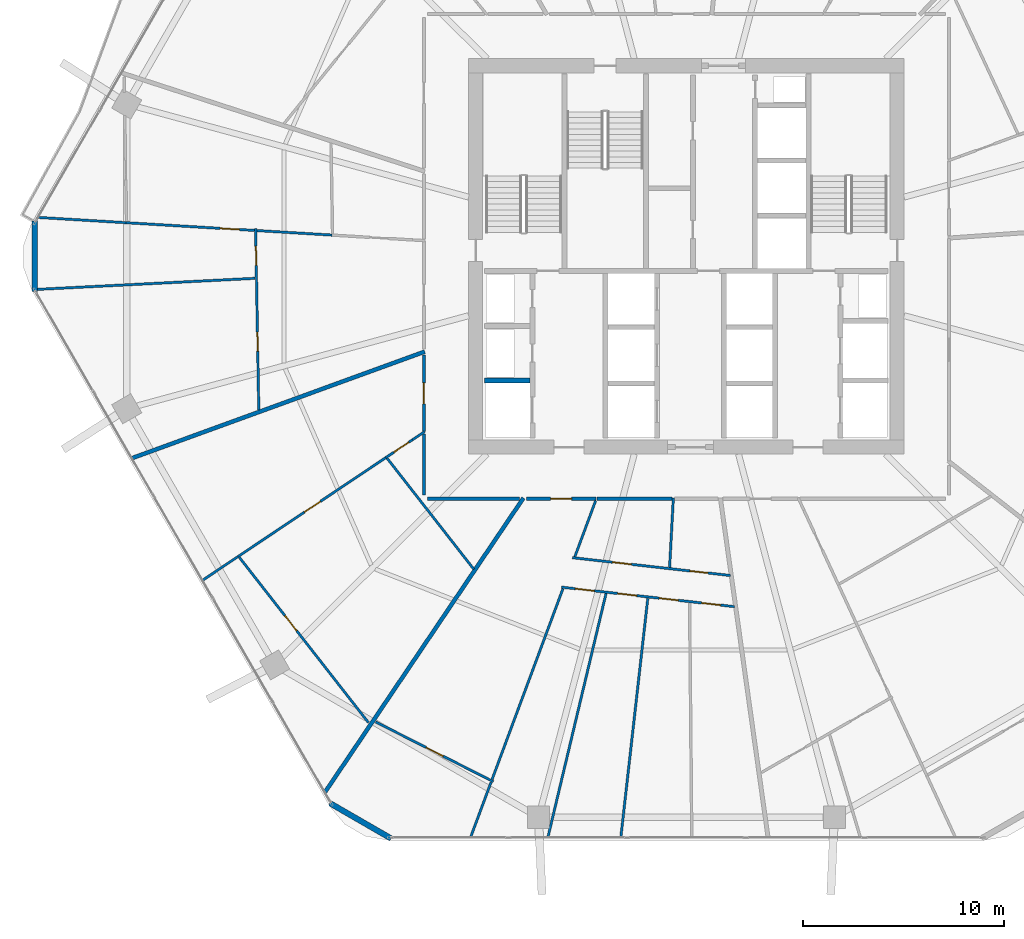
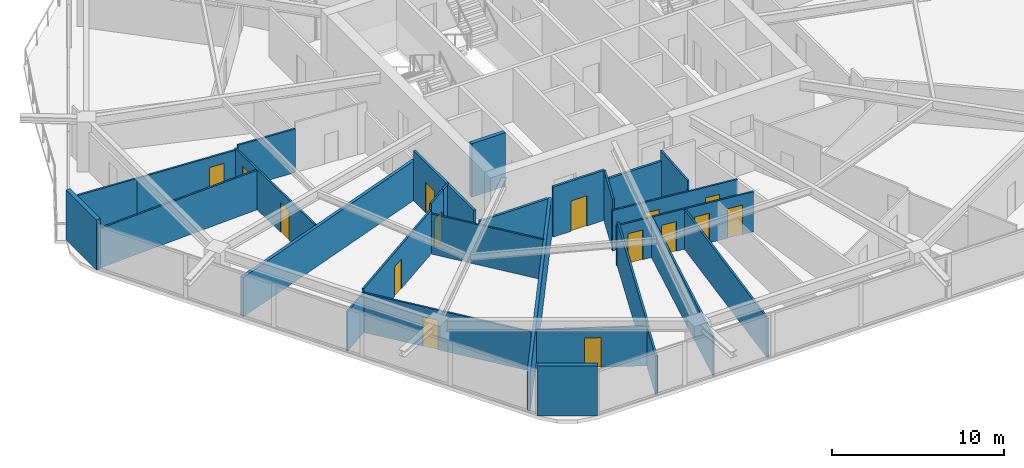
# One storey, part 24 of 33: 30 walls, 15 doors, 15 openings.
"""IFC4 building model written with IfcOpenShell, lengths in metres."""

from ifc_helpers import new_model, si_unit, direction, frame, frame_2d, origin, place, context, subcontext, project, spatial, rectangle, extrude, material, layer, layer_set, type_object, element, fill, save


model = new_model("IFC4")

# Units and contexts
model_context = context("Model", 3, precision=1e-05, world=origin(), true_north=direction((0.0, 1.0)))
body_context = subcontext(model_context, "Body", "Model", "MODEL_VIEW")
ifc_project = project(units=[si_unit("LENGTHUNIT", "METRE"), si_unit("AREAUNIT", "SQUARE_METRE"), si_unit("VOLUMEUNIT", "CUBIC_METRE"), si_unit("PLANEANGLEUNIT", "RADIAN"), si_unit("MASSUNIT", "GRAM", prefix="KILO")], contexts=[model_context])

# Site, building, storey
site_placement = place(None, origin())
site = spatial("IfcSite", under=ifc_project, at=site_placement, CompositionType="ELEMENT")
building_placement = place(site_placement, origin())
building = spatial("IfcBuilding", under=site, at=building_placement, Name="Zuhravey Tower", CompositionType="ELEMENT")
storey_placement = place(building_placement, frame((0.0, 0.0, 96.199951171875)))
storey = spatial("IfcBuildingStorey", under=building, at=storey_placement, Name="L23", CompositionType="ELEMENT", Elevation=96.199951171875)

# Wall, opening, door
ifc_material_1 = material(Name="Gypsum fire-rated stud partition")
ifc_layer_1 = layer(ifc_material_1, 0.159912109375)
ifc_layer_set_1 = layer_set([ifc_layer_1], Name="Gypsum fire-rated stud partition")
wall_type_1 = type_object("IfcWallType", Name="Corridor Fire Partition 160", PredefinedType="PARTITIONING", material=ifc_layer_set_1)
wall_1_placement = place(storey_placement, frame((22.919921875, 27.088134765625, 0.0), z_axis=(0.0, 0.0, 1.0), x_axis=(0.0, -1.0, 0.0)))
wall_1 = element("IfcWall", 1, at=wall_1_placement, inside=storey, type_object=wall_type_1, Name="L23 IW16 Partition 050", PredefinedType="PARTITIONING", context=body_context, shape_type="SweptSolid", body=[
    extrude(rectangle(XDim=3.8203125, YDim=0.159912109375, at=frame_2d((1.91015625, 0.0))), origin(), (0.0, 0.0, 1.0), 3.550048828125),
])
opening_1_placement = place(wall_1_placement, frame((1.38525390625, 0.0, 0.0)))
opening_1 = element("IfcOpeningElement", 2, at=opening_1_placement, cuts=wall_1, Name="Opening APD1", PredefinedType="OPENING", context=body_context, shape_type="SweptSolid", body=[
    extrude(rectangle(XDim=1.050048828125, YDim=2.14990234375, at=frame_2d((0.52490234375, 1.074951171875))), frame((0.0, 0.092041015625, 0.0), z_axis=(0.0, -1.0, 0.0), x_axis=(1.0, 0.0, 0.0)), (0.0, 0.0, 1.0), 0.183837890625),
])
ifc_material_2 = material(Name="Solid-core oak fire-rated leaf")
door_type_1 = type_object("IfcDoorType", Name="Apartment Entrance Fire Door 1050x2150", OperationType="NOTDEFINED", PredefinedType="DOOR", material=ifc_material_2)
door_1_placement = place(opening_1_placement, frame((1.050048828125, 0.0, 0.0), z_axis=(0.0, 0.0, 1.0), x_axis=(-1.0, 0.0, 0.0)))
door_1 = element("IfcDoor", 3, at=door_1_placement, inside=storey, type_object=door_type_1, Name="L23 Door 050.1", OperationType="SINGLE_SWING_RIGHT", OverallHeight=2.14990234375, OverallWidth=1.050048828125, PredefinedType="DOOR", context=body_context, shape_type="SweptSolid", body=[
    extrude(rectangle(XDim=1.050048828125, YDim=2.14990234375, at=frame_2d((0.52490234375, 1.074951171875))), frame((0.0, 0.02490234375, 0.0), z_axis=(0.0, -1.0, 0.0), x_axis=(1.0, 0.0, 0.0)), (0.0, 0.0, 1.0), 0.050048828125),
])
fill(opening_1, door_1)

wall_2_placement = place(storey_placement, frame((28.0283203125, 19.919921875, 0.0), z_axis=(0.0, 0.0, 1.0), x_axis=(1.0, 0.0, 0.0)))
wall_2 = element("IfcWall", 4, at=wall_2_placement, inside=storey, type_object=wall_type_1, Name="L23 IW16 Partition 054", PredefinedType="PARTITIONING", context=body_context, shape_type="SweptSolid", body=[
    extrude(rectangle(XDim=3.462646484375, YDim=0.159912109375, at=frame_2d((1.7314453125, 0.0))), origin(), (0.0, 0.0, 1.0), 3.550048828125),
])
opening_2_placement = place(wall_2_placement, frame((1.206298828125, 0.0, 0.0)))
opening_2 = element("IfcOpeningElement", 5, at=opening_2_placement, cuts=wall_2, Name="Opening APD1", PredefinedType="OPENING", context=body_context, shape_type="SweptSolid", body=[
    extrude(rectangle(XDim=1.050048828125, YDim=2.14990234375, at=frame_2d((0.52490234375, 1.074951171875))), frame((0.0, 0.092041015625, 0.0), z_axis=(0.0, -1.0, 0.0), x_axis=(1.0, 0.0, 0.0)), (0.0, 0.0, 1.0), 0.183837890625),
])
door_2_placement = place(opening_2_placement, frame((1.050048828125, 0.0, 0.0), z_axis=(0.0, 0.0, 1.0), x_axis=(-1.0, 0.0, 0.0)))
door_2 = element("IfcDoor", 6, at=door_2_placement, inside=storey, type_object=door_type_1, Name="L23 Door 054.1", OperationType="SINGLE_SWING_RIGHT", OverallHeight=2.14990234375, OverallWidth=1.050048828125, PredefinedType="DOOR", context=body_context, shape_type="SweptSolid", body=[
    extrude(rectangle(XDim=1.050048828125, YDim=2.14990234375, at=frame_2d((0.52490234375, 1.074951171875))), frame((0.0, 0.02490234375, 0.0), z_axis=(0.0, -1.0, 0.0), x_axis=(1.0, 0.0, 0.0)), (0.0, 0.0, 1.0), 0.050048828125),
])
fill(opening_2, door_2)

# Walls
wall_3_placement = place(storey_placement, frame((23.10009765625, 19.919921875, 0.0), z_axis=(0.0, 0.0, 1.0), x_axis=(1.0, 0.0, 0.0)))
element("IfcWall", 7, at=wall_3_placement, inside=storey, type_object=wall_type_1, Name="L23 IW16 Partition 127", PredefinedType="PARTITIONING", context=body_context, shape_type="SweptSolid", body=[
    extrude(rectangle(XDim=4.5732421875, YDim=0.159912109375, at=frame_2d((2.28662109375, 0.0))), origin(), (0.0, 0.0, 1.0), 2.85009765625),
])
wall_4_placement = place(storey_placement, frame((22.919921875, 23.161865234375, 0.0), z_axis=(0.0, 0.0, 1.0), x_axis=(0.0, -1.0, 0.0)))
element("IfcWall", 8, at=wall_4_placement, inside=storey, type_object=wall_type_1, Name="L23 IW16 Partition 128", PredefinedType="PARTITIONING", context=body_context, shape_type="SweptSolid", body=[
    extrude(rectangle(XDim=3.061767578125, YDim=0.159912109375, at=frame_2d((1.53076171875, 0.0))), origin(), (0.0, 0.0, 1.0), 3.550048828125),
])
wall_5_placement = place(storey_placement, frame((31.53369140625, 19.919921875, 0.0), z_axis=(0.0, 0.0, 1.0), x_axis=(1.0, 0.0, 0.0)))
element("IfcWall", 9, at=wall_5_placement, inside=storey, type_object=wall_type_1, Name="L23 IW16 Partition 129", PredefinedType="PARTITIONING", context=body_context, shape_type="SweptSolid", body=[
    extrude(rectangle(XDim=3.7451171875, YDim=0.159912109375, at=frame_2d((1.87255859375, 0.0))), origin(), (0.0, 0.0, 1.0), 2.85009765625),
])
ifc_material_3 = material(Name="Precast concrete C40/50", Category="concrete")
ifc_layer_2 = layer(ifc_material_3, 0.280029296875)
ifc_layer_set_2 = layer_set([ifc_layer_2], Name="Precast concrete C40/50")
wall_type_2 = type_object("IfcWallType", Name="Crown Architectural Wall 280", PredefinedType="SOLIDWALL", material=ifc_layer_set_2)
wall_6_placement = place(storey_placement, frame((21.28271484375, 2.993896484375, 0.0), z_axis=(0.0, 0.0, 1.0), x_axis=(-0.866007452331, 0.500031091541, 0.0)))
element("IfcWall", 10, at=wall_6_placement, inside=storey, type_object=wall_type_2, Name="L23 Rounded Corner Closure Wall EW28-04", PredefinedType="SOLIDWALL", context=body_context, shape_type="SweptSolid", body=[
    extrude(rectangle(XDim=3.514892578125, YDim=0.280029296875, at=frame_2d((1.75732421875, 0.0))), origin(), (0.0, 0.0, 1.0), 3.550048828125),
])
wall_7_placement = place(storey_placement, frame((3.521484375, 30.242431640625, 0.0), z_axis=(0.0, 0.0, 1.0), x_axis=(0.0, 1.0, 0.0)))
element("IfcWall", 11, at=wall_7_placement, inside=storey, type_object=wall_type_2, Name="L23 Rounded Corner Closure Wall EW28-06", PredefinedType="SOLIDWALL", context=body_context, shape_type="SweptSolid", body=[
    extrude(rectangle(XDim=3.51513671875, YDim=0.280029296875, at=frame_2d((1.757568359375, 0.0))), origin(), (0.0, 0.0, 1.0), 3.550048828125),
])
ifc_material_4 = material(Name="Concrete C50/60", Category="concrete")
ifc_layer_3 = layer(ifc_material_4, 0.25)
ifc_layer_set_3 = layer_set([ifc_layer_3], Name="Concrete C50/60")
wall_type_3 = type_object("IfcWallType", Name="Firefighting Shaft & Stair Wall 250", PredefinedType="SOLIDWALL", material=ifc_layer_set_3)
wall_8_placement = place(storey_placement, frame((25.949951171875, 25.824951171875, 0.0), z_axis=(0.0, 0.0, 1.0), x_axis=(1.0, 0.0, 0.0)))
element("IfcWall", 12, at=wall_8_placement, inside=storey, type_object=wall_type_3, Name="L23 FW25 Shaft Wall 009", PredefinedType="SOLIDWALL", context=body_context, shape_type="SweptSolid", body=[
    extrude(rectangle(XDim=2.25, YDim=0.25, at=frame_2d((1.125, 0.0))), origin(), (0.0, 0.0, 1.0), 3.800048828125),
])
ifc_material_5 = material(Name="Gypsum double-stud party assembly")
ifc_layer_4 = layer(ifc_material_5, 0.199951171875)
ifc_layer_set_4 = layer_set([ifc_layer_4], Name="Gypsum double-stud party assembly")
wall_type_4 = type_object("IfcWallType", Name="Inter-Tenancy Party Wall 200", PredefinedType="PARTITIONING", material=ifc_layer_set_4)
wall_9_placement = place(storey_placement, frame((22.9599609375, 27.25390625, 0.0), z_axis=(0.0, 0.0, 1.0), x_axis=(-0.939691473543, -0.342023295333, 0.0)))
element("IfcWall", 13, at=wall_9_placement, inside=storey, type_object=wall_type_4, Name="L23 IW20 Partition 100", PredefinedType="PARTITIONING", context=body_context, shape_type="SweptSolid", body=[
    extrude(rectangle(XDim=15.5283203125, YDim=0.199951171875, at=frame_2d((7.76416015625, 0.0))), origin(), (0.0, 0.0, 1.0), 2.800048828125),
])
wall_10_placement = place(storey_placement, frame((27.87890625, 19.9599609375, 0.0), z_axis=(0.0, 0.0, 1.0), x_axis=(-0.559197020648, -0.829034795469, 0.0)))
element("IfcWall", 14, at=wall_10_placement, inside=storey, type_object=wall_type_4, Name="L23 IW20 Partition 104", PredefinedType="PARTITIONING", context=body_context, shape_type="SweptSolid", body=[
    extrude(rectangle(XDim=17.6962890625, YDim=0.199951171875, at=frame_2d((8.84814453125, 0.0))), origin(), (0.0, 0.0, 1.0), 2.800048828125),
])

# Wall, openings, doors
ifc_material_6 = material(Name="Gypsum metal-stud partition")
ifc_layer_5 = layer(ifc_material_6, 0.1201171875)
ifc_layer_set_5 = layer_set([ifc_layer_5], Name="Gypsum metal-stud partition")
wall_type_5 = type_object("IfcWallType", Name="Unit Internal Partition 120", PredefinedType="PARTITIONING", material=ifc_layer_set_5)
wall_11_placement = place(storey_placement, frame((14.533203125, 33.390625, 0.0), z_axis=(0.0, 0.0, 1.0), x_axis=(0.017438423518, -0.999847939131, 0.0)))
wall_11 = element("IfcWall", 15, at=wall_11_placement, inside=storey, type_object=wall_type_5, Name="L23 IW12 Partition 041", PredefinedType="PARTITIONING", context=body_context, shape_type="SweptSolid", body=[
    extrude(rectangle(XDim=9.044189453125, YDim=0.1201171875, at=frame_2d((4.52197265625, 0.0))), origin(), (0.0, 0.0, 1.0), 2.85009765625),
])
opening_3_placement = place(wall_11_placement, frame((0.885009765625, 0.0, 0.0)))
opening_3 = element("IfcOpeningElement", 16, at=opening_3_placement, cuts=wall_11, Name="Opening IND1", PredefinedType="OPENING", context=body_context, shape_type="SweptSolid", body=[
    extrude(rectangle(XDim=0.949951171875, YDim=2.10009765625, at=frame_2d((0.47509765625, 1.050048828125))), frame((0.0, 0.072021484375, 0.0), z_axis=(0.0, -1.0, 0.0), x_axis=(1.0, 0.0, 0.0)), (0.0, 0.0, 1.0), 0.14404296875),
])
opening_4_placement = place(wall_11_placement, frame((5.167236328125, 0.0, 0.0)))
opening_4 = element("IfcOpeningElement", 17, at=opening_4_placement, cuts=wall_11, Name="Opening IND1", PredefinedType="OPENING", context=body_context, shape_type="SweptSolid", body=[
    extrude(rectangle(XDim=0.949951171875, YDim=2.10009765625, at=frame_2d((0.47509765625, 1.050048828125))), frame((0.0, 0.072021484375, 0.0), z_axis=(0.0, -1.0, 0.0), x_axis=(1.0, 0.0, 0.0)), (0.0, 0.0, 1.0), 0.14404296875),
])
ifc_material_7 = material(Name="Painted engineered timber leaf", Category="wood")
door_type_2 = type_object("IfcDoorType", Name="Internal Room & Bedroom Door 950x2100", OperationType="NOTDEFINED", PredefinedType="DOOR", material=ifc_material_7)
door_3_placement = place(opening_3_placement, frame((0.949951171875, 0.0, 0.0), z_axis=(0.0, 0.0, 1.0), x_axis=(-1.0, 0.0, 0.0)))
door_3 = element("IfcDoor", 18, at=door_3_placement, inside=storey, type_object=door_type_2, Name="Apartment L23-05 Family Study Door", OperationType="SINGLE_SWING_LEFT", OverallHeight=2.10009765625, OverallWidth=0.949951171875, PredefinedType="DOOR", context=body_context, shape_type="SweptSolid", body=[
    extrude(rectangle(XDim=0.949951171875, YDim=2.10009765625, at=frame_2d((0.47509765625, 1.050048828125))), frame((0.0, 0.02490234375, 0.0), z_axis=(0.0, -1.0, 0.0), x_axis=(1.0, 0.0, 0.0)), (0.0, 0.0, 1.0), 0.050048828125),
])
fill(opening_3, door_3)
door_4_placement = place(opening_4_placement, frame((0.949951171875, 0.0, 0.0), z_axis=(0.0, 0.0, 1.0), x_axis=(-1.0, 0.0, 0.0)))
door_4 = element("IfcDoor", 19, at=door_4_placement, inside=storey, type_object=door_type_2, Name="Apartment L23-05 Dining Room Door", OperationType="SINGLE_SWING_RIGHT", OverallHeight=2.10009765625, OverallWidth=0.949951171875, PredefinedType="DOOR", context=body_context, shape_type="SweptSolid", body=[
    extrude(rectangle(XDim=0.949951171875, YDim=2.10009765625, at=frame_2d((0.47509765625, 1.050048828125))), frame((0.0, 0.02490234375, 0.0), z_axis=(0.0, -1.0, 0.0), x_axis=(1.0, 0.0, 0.0)), (0.0, 0.0, 1.0), 0.050048828125),
])
fill(opening_4, door_4)

# Wall
wall_12_placement = place(storey_placement, frame((18.343017578125, 33.061279296875, 0.0), z_axis=(0.0, 0.0, 1.0), x_axis=(-0.998197826963, 0.060009151347, 0.0)))
element("IfcWall", 20, at=wall_12_placement, inside=storey, type_object=wall_type_5, Name="L23 IW12 Partition 043", PredefinedType="PARTITIONING", context=body_context, shape_type="SweptSolid", body=[
    extrude(rectangle(XDim=3.7470703125, YDim=0.1201171875, at=frame_2d((1.87353515625, 0.0))), origin(), (0.0, 0.0, 1.0), 3.10009765625),
])

# Wall, opening, door
wall_13_placement = place(storey_placement, frame((14.466796875, 33.29443359375, 0.0), z_axis=(0.0, 0.0, 1.0), x_axis=(-0.998197493237, 0.060014702322, 0.0)))
wall_13 = element("IfcWall", 21, at=wall_13_placement, inside=storey, type_object=wall_type_5, Name="L23 IW12 Partition 044", PredefinedType="PARTITIONING", context=body_context, shape_type="SweptSolid", body=[
    extrude(rectangle(XDim=6.39892578125, YDim=0.1201171875, at=frame_2d((3.199462890625, 0.0))), origin(), (0.0, 0.0, 1.0), 2.800048828125),
])
opening_5_placement = place(wall_13_placement, frame((0.7578125, 0.0, 0.0)))
opening_5 = element("IfcOpeningElement", 22, at=opening_5_placement, cuts=wall_13, Name="Opening IND1", PredefinedType="OPENING", context=body_context, shape_type="SweptSolid", body=[
    extrude(rectangle(XDim=0.949951171875, YDim=2.10009765625, at=frame_2d((0.47509765625, 1.050048828125))), frame((0.0, 0.072021484375, 0.0), z_axis=(0.0, -1.0, 0.0), x_axis=(1.0, 0.0, 0.0)), (0.0, 0.0, 1.0), 0.14404296875),
])
door_5_placement = place(opening_5_placement, frame((0.949951171875, 0.0, 0.0), z_axis=(0.0, 0.0, 1.0), x_axis=(-1.0, 0.0, 0.0)))
door_5 = element("IfcDoor", 23, at=door_5_placement, inside=storey, type_object=door_type_2, Name="Apartment L23-05 Home Office Door", OperationType="SINGLE_SWING_RIGHT", OverallHeight=2.10009765625, OverallWidth=0.949951171875, PredefinedType="DOOR", context=body_context, shape_type="SweptSolid", body=[
    extrude(rectangle(XDim=0.949951171875, YDim=2.10009765625, at=frame_2d((0.47509765625, 1.050048828125))), frame((0.0, 0.02490234375, 0.0), z_axis=(0.0, -1.0, 0.0), x_axis=(1.0, 0.0, 0.0)), (0.0, 0.0, 1.0), 0.050048828125),
])
fill(opening_5, door_5)

wall_14_placement = place(storey_placement, frame((22.35009765625, 22.862060546875, 0.0), z_axis=(0.0, 0.0, 1.0), x_axis=(-0.831058391016, -0.556185176647, 0.0)))
wall_14 = element("IfcWall", 24, at=wall_14_placement, inside=storey, type_object=wall_type_5, Name="L23 IW12 Partition 047", PredefinedType="PARTITIONING", context=body_context, shape_type="SweptSolid", body=[
    extrude(rectangle(XDim=1.592529296875, YDim=0.1201171875, at=frame_2d((0.79638671875, 0.0))), origin(), (0.0, 0.0, 1.0), 3.550048828125),
])
opening_6_placement = place(wall_14_placement, frame((0.218994140625, 0.0, 0.0)))
opening_6 = element("IfcOpeningElement", 25, at=opening_6_placement, cuts=wall_14, Name="Opening WCD1", PredefinedType="OPENING", context=body_context, shape_type="SweptSolid", body=[
    extrude(rectangle(XDim=0.89990234375, YDim=2.10009765625, at=frame_2d((0.449951171875, 1.050048828125))), frame((0.0, 0.072021484375, 0.0), z_axis=(0.0, -1.0, 0.0), x_axis=(1.0, 0.0, 0.0)), (0.0, 0.0, 1.0), 0.14404296875),
])
ifc_material_8 = material(Name="Moisture-resistant timber leaf", Category="wood")
door_type_3 = type_object("IfcDoorType", Name="Bathroom & WC Internal Door 900x2100", OperationType="NOTDEFINED", PredefinedType="DOOR", material=ifc_material_8)
door_6_placement = place(opening_6_placement, origin())
door_6 = element("IfcDoor", 26, at=door_6_placement, inside=storey, type_object=door_type_3, Name="Apartment L23-06 Bathroom Door", OperationType="SINGLE_SWING_LEFT", OverallHeight=2.10009765625, OverallWidth=0.89990234375, PredefinedType="DOOR", context=body_context, shape_type="SweptSolid", body=[
    extrude(rectangle(XDim=0.89990234375, YDim=2.10009765625, at=frame_2d((0.449951171875, 1.050048828125))), frame((0.0, 0.02490234375, 0.0), z_axis=(0.0, -1.0, 0.0), x_axis=(1.0, 0.0, 0.0)), (0.0, 0.0, 1.0), 0.050048828125),
])
fill(opening_6, door_6)

wall_15_placement = place(storey_placement, frame((21.026611328125, 21.976318359375, 0.0), z_axis=(0.0, 0.0, 1.0), x_axis=(-0.830972753707, -0.556313115607, 0.0)))
wall_15 = element("IfcWall", 27, at=wall_15_placement, inside=storey, type_object=wall_type_5, Name="L23 IW12 Partition 048", PredefinedType="PARTITIONING", context=body_context, shape_type="SweptSolid", body=[
    extrude(rectangle(XDim=8.86669921875, YDim=0.1201171875, at=frame_2d((4.433349609375, 0.0))), origin(), (0.0, 0.0, 1.0), 3.10009765625),
])
opening_7_placement = place(wall_15_placement, frame((3.93310546875, 0.0, 0.0)))
opening_7 = element("IfcOpeningElement", 28, at=opening_7_placement, cuts=wall_15, Name="Opening IND1", PredefinedType="OPENING", context=body_context, shape_type="SweptSolid", body=[
    extrude(rectangle(XDim=0.949951171875, YDim=2.10009765625, at=frame_2d((0.47509765625, 1.050048828125))), frame((0.0, 0.072021484375, 0.0), z_axis=(0.0, -1.0, 0.0), x_axis=(1.0, 0.0, 0.0)), (0.0, 0.0, 1.0), 0.14404296875),
])
door_7_placement = place(opening_7_placement, origin())
door_7 = element("IfcDoor", 29, at=door_7_placement, inside=storey, type_object=door_type_2, Name="Apartment L23-06 Home Office Door", OperationType="SINGLE_SWING_RIGHT", OverallHeight=2.10009765625, OverallWidth=0.949951171875, PredefinedType="DOOR", context=body_context, shape_type="SweptSolid", body=[
    extrude(rectangle(XDim=0.949951171875, YDim=2.10009765625, at=frame_2d((0.47509765625, 1.050048828125))), frame((0.0, 0.02490234375, 0.0), z_axis=(0.0, -1.0, 0.0), x_axis=(1.0, 0.0, 0.0)), (0.0, 0.0, 1.0), 0.050048828125),
])
fill(opening_7, door_7)

wall_16_placement = place(storey_placement, frame((13.7216796875, 17.00390625, 0.0), z_axis=(0.0, 0.0, 1.0), x_axis=(0.615661723456, -0.788010559746, 0.0)))
wall_16 = element("IfcWall", 30, at=wall_16_placement, inside=storey, type_object=wall_type_5, Name="L23 IW12 Partition 049", PredefinedType="PARTITIONING", context=body_context, shape_type="SweptSolid", body=[
    extrude(rectangle(XDim=10.449951171875, YDim=0.1201171875, at=frame_2d((5.22509765625, 0.0))), origin(), (0.0, 0.0, 1.0), 2.800048828125),
])
opening_8_placement = place(wall_16_placement, frame((3.69482421875, 0.0, 0.0)))
opening_8 = element("IfcOpeningElement", 31, at=opening_8_placement, cuts=wall_16, Name="Opening IND1", PredefinedType="OPENING", context=body_context, shape_type="SweptSolid", body=[
    extrude(rectangle(XDim=0.949951171875, YDim=2.10009765625, at=frame_2d((0.47509765625, 1.050048828125))), frame((0.0, 0.072021484375, 0.0), z_axis=(0.0, -1.0, 0.0), x_axis=(1.0, 0.0, 0.0)), (0.0, 0.0, 1.0), 0.14404296875),
])
door_8_placement = place(opening_8_placement, frame((0.949951171875, 0.0, 0.0), z_axis=(0.0, 0.0, 1.0), x_axis=(-1.0, 0.0, 0.0)))
door_8 = element("IfcDoor", 32, at=door_8_placement, inside=storey, type_object=door_type_2, Name="Apartment L23-06 Bedroom 1 Door", OperationType="SINGLE_SWING_LEFT", OverallHeight=2.10009765625, OverallWidth=0.949951171875, PredefinedType="DOOR", context=body_context, shape_type="SweptSolid", body=[
    extrude(rectangle(XDim=0.949951171875, YDim=2.10009765625, at=frame_2d((0.47509765625, 1.050048828125))), frame((0.0, 0.02490234375, 0.0), z_axis=(0.0, -1.0, 0.0), x_axis=(1.0, 0.0, 0.0)), (0.0, 0.0, 1.0), 0.050048828125),
])
fill(opening_8, door_8)

wall_17_placement = place(storey_placement, frame((20.524169921875, 8.799560546875, 0.0), z_axis=(0.0, 0.0, 1.0), x_axis=(0.891487645156, -0.453045007185, 0.0)))
wall_17 = element("IfcWall", 33, at=wall_17_placement, inside=storey, type_object=wall_type_5, Name="L23 IW12 Partition 051", PredefinedType="PARTITIONING", context=body_context, shape_type="SweptSolid", body=[
    extrude(rectangle(XDim=6.570556640625, YDim=0.1201171875, at=frame_2d((3.28515625, 0.0))), origin(), (0.0, 0.0, 1.0), 2.800048828125),
])
opening_9_placement = place(wall_17_placement, frame((2.810302734375, 0.0, 0.0)))
opening_9 = element("IfcOpeningElement", 34, at=opening_9_placement, cuts=wall_17, Name="Opening IND1", PredefinedType="OPENING", context=body_context, shape_type="SweptSolid", body=[
    extrude(rectangle(XDim=0.949951171875, YDim=2.10009765625, at=frame_2d((0.47509765625, 1.050048828125))), frame((0.0, 0.072021484375, 0.0), z_axis=(0.0, -1.0, 0.0), x_axis=(1.0, 0.0, 0.0)), (0.0, 0.0, 1.0), 0.14404296875),
])
door_9_placement = place(opening_9_placement, frame((0.949951171875, 0.0, 0.0), z_axis=(0.0, 0.0, 1.0), x_axis=(-1.0, 0.0, 0.0)))
door_9 = element("IfcDoor", 35, at=door_9_placement, inside=storey, type_object=door_type_2, Name="Apartment L23-07 Family Study Door", OperationType="SINGLE_SWING_LEFT", OverallHeight=2.10009765625, OverallWidth=0.949951171875, PredefinedType="DOOR", context=body_context, shape_type="SweptSolid", body=[
    extrude(rectangle(XDim=0.949951171875, YDim=2.10009765625, at=frame_2d((0.47509765625, 1.050048828125))), frame((0.0, 0.02490234375, 0.0), z_axis=(0.0, -1.0, 0.0), x_axis=(1.0, 0.0, 0.0)), (0.0, 0.0, 1.0), 0.050048828125),
])
fill(opening_9, door_9)

# Wall, openings, doors
wall_18_placement = place(storey_placement, frame((30.31591796875, 16.987060546875, 0.0), z_axis=(0.0, 0.0, 1.0), x_axis=(0.993688053022, -0.112178666785, 0.0)))
wall_18 = element("IfcWall", 36, at=wall_18_placement, inside=storey, type_object=wall_type_5, Name="L23 IW12 Partition 052", PredefinedType="PARTITIONING", context=body_context, shape_type="SweptSolid", body=[
    extrude(rectangle(XDim=7.928466796875, YDim=0.1201171875, at=frame_2d((3.96435546875, 0.0))), origin(), (0.0, 0.0, 1.0), 2.85009765625),
])
opening_10_placement = place(wall_18_placement, frame((2.01318359375, 0.0, 0.0)))
opening_10 = element("IfcOpeningElement", 37, at=opening_10_placement, cuts=wall_18, Name="Opening IND1", PredefinedType="OPENING", context=body_context, shape_type="SweptSolid", body=[
    extrude(rectangle(XDim=0.949951171875, YDim=2.10009765625, at=frame_2d((0.47509765625, 1.050048828125))), frame((0.0, 0.072021484375, 0.0), z_axis=(0.0, -1.0, 0.0), x_axis=(1.0, 0.0, 0.0)), (0.0, 0.0, 1.0), 0.14404296875),
])
opening_11_placement = place(wall_18_placement, frame((5.8994140625, 0.0, 0.0)))
opening_11 = element("IfcOpeningElement", 38, at=opening_11_placement, cuts=wall_18, Name="Opening WCD1", PredefinedType="OPENING", context=body_context, shape_type="SweptSolid", body=[
    extrude(rectangle(XDim=0.89990234375, YDim=2.10009765625, at=frame_2d((0.449951171875, 1.050048828125))), frame((0.0, 0.072021484375, 0.0), z_axis=(0.0, -1.0, 0.0), x_axis=(1.0, 0.0, 0.0)), (0.0, 0.0, 1.0), 0.14404296875),
])
door_10_placement = place(opening_11_placement, origin())
door_10 = element("IfcDoor", 39, at=door_10_placement, inside=storey, type_object=door_type_3, Name="Apartment L23-07 Bathroom Door", OperationType="SINGLE_SWING_LEFT", OverallHeight=2.10009765625, OverallWidth=0.89990234375, PredefinedType="DOOR", context=body_context, shape_type="SweptSolid", body=[
    extrude(rectangle(XDim=0.89990234375, YDim=2.10009765625, at=frame_2d((0.449951171875, 1.050048828125))), frame((0.0, 0.02490234375, 0.0), z_axis=(0.0, -1.0, 0.0), x_axis=(1.0, 0.0, 0.0)), (0.0, 0.0, 1.0), 0.050048828125),
])
fill(opening_11, door_10)
door_11_placement = place(opening_10_placement, origin())
door_11 = element("IfcDoor", 40, at=door_11_placement, inside=storey, type_object=door_type_2, Name="Apartment L23-07 Kitchen Door", OperationType="SINGLE_SWING_RIGHT", OverallHeight=2.10009765625, OverallWidth=0.949951171875, PredefinedType="DOOR", context=body_context, shape_type="SweptSolid", body=[
    extrude(rectangle(XDim=0.949951171875, YDim=2.10009765625, at=frame_2d((0.47509765625, 1.050048828125))), frame((0.0, 0.02490234375, 0.0), z_axis=(0.0, -1.0, 0.0), x_axis=(1.0, 0.0, 0.0)), (0.0, 0.0, 1.0), 0.050048828125),
])
fill(opening_10, door_11)

wall_19_placement = place(storey_placement, frame((29.7705078125, 15.518798828125, 0.0), z_axis=(0.0, 0.0, 1.0), x_axis=(0.993690565923, -0.112156405055, 0.0)))
wall_19 = element("IfcWall", 41, at=wall_19_placement, inside=storey, type_object=wall_type_5, Name="L23 IW12 Partition 053", PredefinedType="PARTITIONING", context=body_context, shape_type="SweptSolid", body=[
    extrude(rectangle(XDim=8.68310546875, YDim=0.1201171875, at=frame_2d((4.341552734375, 0.0))), origin(), (0.0, 0.0, 1.0), 2.85009765625),
])
opening_12_placement = place(wall_19_placement, frame((0.701904296875, 0.0, 0.0)))
opening_12 = element("IfcOpeningElement", 42, at=opening_12_placement, cuts=wall_19, Name="Opening IND1", PredefinedType="OPENING", context=body_context, shape_type="SweptSolid", body=[
    extrude(rectangle(XDim=0.949951171875, YDim=2.10009765625, at=frame_2d((0.47509765625, 1.050048828125))), frame((0.0, 0.072021484375, 0.0), z_axis=(0.0, -1.0, 0.0), x_axis=(1.0, 0.0, 0.0)), (0.0, 0.0, 1.0), 0.14404296875),
])
opening_13_placement = place(wall_19_placement, frame((2.822509765625, 0.0, 0.0)))
opening_13 = element("IfcOpeningElement", 43, at=opening_13_placement, cuts=wall_19, Name="Opening IND1", PredefinedType="OPENING", context=body_context, shape_type="SweptSolid", body=[
    extrude(rectangle(XDim=0.949951171875, YDim=2.10009765625, at=frame_2d((0.47509765625, 1.050048828125))), frame((0.0, 0.072021484375, 0.0), z_axis=(0.0, -1.0, 0.0), x_axis=(1.0, 0.0, 0.0)), (0.0, 0.0, 1.0), 0.14404296875),
])
opening_14_placement = place(wall_19_placement, frame((4.91064453125, 0.0, 0.0)))
opening_14 = element("IfcOpeningElement", 44, at=opening_14_placement, cuts=wall_19, Name="Opening IND1", PredefinedType="OPENING", context=body_context, shape_type="SweptSolid", body=[
    extrude(rectangle(XDim=0.949951171875, YDim=2.10009765625, at=frame_2d((0.47509765625, 1.050048828125))), frame((0.0, 0.072021484375, 0.0), z_axis=(0.0, -1.0, 0.0), x_axis=(1.0, 0.0, 0.0)), (0.0, 0.0, 1.0), 0.14404296875),
])
opening_15_placement = place(wall_19_placement, frame((7.031005859375, 0.0, 0.0)))
opening_15 = element("IfcOpeningElement", 45, at=opening_15_placement, cuts=wall_19, Name="Opening IND1", PredefinedType="OPENING", context=body_context, shape_type="SweptSolid", body=[
    extrude(rectangle(XDim=0.949951171875, YDim=2.10009765625, at=frame_2d((0.47509765625, 1.050048828125))), frame((0.0, 0.072021484375, 0.0), z_axis=(0.0, -1.0, 0.0), x_axis=(1.0, 0.0, 0.0)), (0.0, 0.0, 1.0), 0.14404296875),
])
door_12_placement = place(opening_12_placement, frame((0.949951171875, 0.0, 0.0), z_axis=(0.0, 0.0, 1.0), x_axis=(-1.0, 0.0, 0.0)))
door_12 = element("IfcDoor", 46, at=door_12_placement, inside=storey, type_object=door_type_2, Name="Apartment L23-07 Bedroom 1 Door", OperationType="SINGLE_SWING_RIGHT", OverallHeight=2.10009765625, OverallWidth=0.949951171875, PredefinedType="DOOR", context=body_context, shape_type="SweptSolid", body=[
    extrude(rectangle(XDim=0.949951171875, YDim=2.10009765625, at=frame_2d((0.47509765625, 1.050048828125))), frame((0.0, 0.02490234375, 0.0), z_axis=(0.0, -1.0, 0.0), x_axis=(1.0, 0.0, 0.0)), (0.0, 0.0, 1.0), 0.050048828125),
])
fill(opening_12, door_12)
door_13_placement = place(opening_13_placement, frame((0.949951171875, 0.0, 0.0), z_axis=(0.0, 0.0, 1.0), x_axis=(-1.0, 0.0, 0.0)))
door_13 = element("IfcDoor", 47, at=door_13_placement, inside=storey, type_object=door_type_2, Name="Apartment L23-07 Bedroom 2 Door", OperationType="SINGLE_SWING_LEFT", OverallHeight=2.10009765625, OverallWidth=0.949951171875, PredefinedType="DOOR", context=body_context, shape_type="SweptSolid", body=[
    extrude(rectangle(XDim=0.949951171875, YDim=2.10009765625, at=frame_2d((0.47509765625, 1.050048828125))), frame((0.0, 0.02490234375, 0.0), z_axis=(0.0, -1.0, 0.0), x_axis=(1.0, 0.0, 0.0)), (0.0, 0.0, 1.0), 0.050048828125),
])
fill(opening_13, door_13)
door_14_placement = place(opening_14_placement, frame((0.949951171875, 0.0, 0.0), z_axis=(0.0, 0.0, 1.0), x_axis=(-1.0, 0.0, 0.0)))
door_14 = element("IfcDoor", 48, at=door_14_placement, inside=storey, type_object=door_type_2, Name="Apartment L23-07 Bedroom 3 Door", OperationType="SINGLE_SWING_RIGHT", OverallHeight=2.10009765625, OverallWidth=0.949951171875, PredefinedType="DOOR", context=body_context, shape_type="SweptSolid", body=[
    extrude(rectangle(XDim=0.949951171875, YDim=2.10009765625, at=frame_2d((0.47509765625, 1.050048828125))), frame((0.0, 0.02490234375, 0.0), z_axis=(0.0, -1.0, 0.0), x_axis=(1.0, 0.0, 0.0)), (0.0, 0.0, 1.0), 0.050048828125),
])
fill(opening_14, door_14)
door_15_placement = place(opening_15_placement, frame((0.949951171875, 0.0, 0.0), z_axis=(0.0, 0.0, 1.0), x_axis=(-1.0, 0.0, 0.0)))
door_15 = element("IfcDoor", 49, at=door_15_placement, inside=storey, type_object=door_type_2, Name="Apartment L23-07 Bedroom 4 Door", OperationType="SINGLE_SWING_LEFT", OverallHeight=2.10009765625, OverallWidth=0.949951171875, PredefinedType="DOOR", context=body_context, shape_type="SweptSolid", body=[
    extrude(rectangle(XDim=0.949951171875, YDim=2.10009765625, at=frame_2d((0.47509765625, 1.050048828125))), frame((0.0, 0.02490234375, 0.0), z_axis=(0.0, -1.0, 0.0), x_axis=(1.0, 0.0, 0.0)), (0.0, 0.0, 1.0), 0.050048828125),
])
fill(opening_15, door_15)

# Walls
wall_20_placement = place(storey_placement, frame((14.508544921875, 30.907470703125, 0.0), z_axis=(0.0, 0.0, 1.0), x_axis=(-0.998710415544, -0.05076914303, 0.0)))
element("IfcWall", 50, at=wall_20_placement, inside=storey, type_object=wall_type_5, Name="L23 IW12 Partition 095", PredefinedType="PARTITIONING", context=body_context, shape_type="SweptSolid", body=[
    extrude(rectangle(XDim=11.041015625, YDim=0.1201171875, at=frame_2d((5.5205078125, 0.0))), origin(), (0.0, 0.0, 1.0), 2.800048828125),
])
wall_21_placement = place(storey_placement, frame((8.079345703125, 33.678466796875, 0.0), z_axis=(0.0, 0.0, 1.0), x_axis=(-0.998198281199, 0.060001595079, 0.0)))
element("IfcWall", 51, at=wall_21_placement, inside=storey, type_object=wall_type_5, Name="L23 IW12 Partition 097", PredefinedType="PARTITIONING", context=body_context, shape_type="SweptSolid", body=[
    extrude(rectangle(XDim=4.40673828125, YDim=0.1201171875, at=frame_2d((2.203369140625, 0.0))), origin(), (0.0, 0.0, 1.0), 2.800048828125),
])
wall_22_placement = place(storey_placement, frame((22.9560546875, 23.267822265625, 0.0), z_axis=(0.0, 0.0, 1.0), x_axis=(-0.830915468449, -0.556398673877, 0.0)))
element("IfcWall", 52, at=wall_22_placement, inside=storey, type_object=wall_type_5, Name="L23 IW12 Partition 101", PredefinedType="PARTITIONING", context=body_context, shape_type="SweptSolid", body=[
    extrude(rectangle(XDim=0.729248046875, YDim=0.1201171875, at=frame_2d((0.36474609375, 0.0))), origin(), (0.0, 0.0, 1.0), 3.550048828125),
])
wall_23_placement = place(storey_placement, frame((13.65869140625, 17.0439453125, 0.0), z_axis=(0.0, 0.0, 1.0), x_axis=(-0.830943875416, -0.556356249096, 0.0)))
element("IfcWall", 53, at=wall_23_placement, inside=storey, type_object=wall_type_5, Name="L23 IW12 Partition 102", PredefinedType="PARTITIONING", context=body_context, shape_type="SweptSolid", body=[
    extrude(rectangle(XDim=2.141845703125, YDim=0.1201171875, at=frame_2d((1.07080078125, 0.0))), origin(), (0.0, 0.0, 1.0), 2.800048828125),
])
wall_24_placement = place(storey_placement, frame((21.08935546875, 21.936279296875, 0.0), z_axis=(0.0, 0.0, 1.0), x_axis=(0.615669714857, -0.78800431611, 0.0)))
element("IfcWall", 54, at=wall_24_placement, inside=storey, type_object=wall_type_5, Name="L23 IW12 Partition 103", PredefinedType="PARTITIONING", context=body_context, shape_type="SweptSolid", body=[
    extrude(rectangle(XDim=7.012451171875, YDim=0.1201171875, at=frame_2d((3.50634765625, 0.0))), origin(), (0.0, 0.0, 1.0), 2.85009765625),
])
wall_25_placement = place(storey_placement, frame((35.349609375, 19.969970703125, 0.0), z_axis=(0.0, 0.0, 1.0), x_axis=(-0.053944893028, -0.998543914165, 0.0)))
element("IfcWall", 55, at=wall_25_placement, inside=storey, type_object=wall_type_5, Name="L23 IW12 Partition 105", PredefinedType="PARTITIONING", context=body_context, shape_type="SweptSolid", body=[
    extrude(rectangle(XDim=3.466796875, YDim=0.1201171875, at=frame_2d((1.7333984375, 0.0))), origin(), (0.0, 0.0, 1.0), 3.550048828125),
])
wall_26_placement = place(storey_placement, frame((31.994384765625, 15.199462890625, 0.0), z_axis=(0.0, 0.0, 1.0), x_axis=(-0.231903726738, -0.972738742687, 0.0)))
element("IfcWall", 56, at=wall_26_placement, inside=storey, type_object=wall_type_5, Name="L23 IW12 Partition 106", PredefinedType="PARTITIONING", context=body_context, shape_type="SweptSolid", body=[
    extrude(rectangle(XDim=12.509033203125, YDim=0.1201171875, at=frame_2d((6.25439453125, 0.0))), origin(), (0.0, 0.0, 1.0), 2.800048828125),
])
wall_27_placement = place(storey_placement, frame((34.0771484375, 14.96435546875, 0.0), z_axis=(0.0, 0.0, 1.0), x_axis=(-0.112162915039, -0.993689831129, 0.0)))
element("IfcWall", 57, at=wall_27_placement, inside=storey, type_object=wall_type_5, Name="L23 IW12 Partition 107", PredefinedType="PARTITIONING", context=body_context, shape_type="SweptSolid", body=[
    extrude(rectangle(XDim=12.008544921875, YDim=0.1201171875, at=frame_2d((6.00439453125, 0.0))), origin(), (0.0, 0.0, 1.0), 2.800048828125),
])
wall_28_placement = place(storey_placement, frame((31.4794921875, 19.83203125, 0.0), z_axis=(0.0, 0.0, 1.0), x_axis=(-0.348174176555, -0.937429860192, 0.0)))
element("IfcWall", 58, at=wall_28_placement, inside=storey, type_object=wall_type_5, Name="L23 IW12 Partition 109", PredefinedType="PARTITIONING", context=body_context, shape_type="SweptSolid", body=[
    extrude(rectangle(XDim=2.977294921875, YDim=0.1201171875, at=frame_2d((1.48876953125, 0.0))), origin(), (0.0, 0.0, 1.0), 3.550048828125),
])
wall_29_placement = place(storey_placement, frame((29.848388671875, 15.441650390625, 0.0), z_axis=(0.0, 0.0, 1.0), x_axis=(-0.348233662926, -0.937407763999, 0.0)))
element("IfcWall", 59, at=wall_29_placement, inside=storey, type_object=wall_type_5, Name="L23 IW12 Partition 110", PredefinedType="PARTITIONING", context=body_context, shape_type="SweptSolid", body=[
    extrude(rectangle(XDim=10.14404296875, YDim=0.1201171875, at=frame_2d((5.072021484375, 0.0))), origin(), (0.0, 0.0, 1.0), 3.10009765625),
])
wall_30_placement = place(storey_placement, frame((26.268310546875, 5.80419921875, 0.0), z_axis=(0.0, 0.0, 1.0), x_axis=(-0.348234227569, -0.937407554242, 0.0)))
element("IfcWall", 60, at=wall_30_placement, inside=storey, type_object=wall_type_5, Name="L23 IW12 Partition 111", PredefinedType="PARTITIONING", context=body_context, shape_type="SweptSolid", body=[
    extrude(rectangle(XDim=2.955810546875, YDim=0.1201171875, at=frame_2d((1.47802734375, 0.0))), origin(), (0.0, 0.0, 1.0), 2.800048828125),
])

save(model, "model.ifc")
